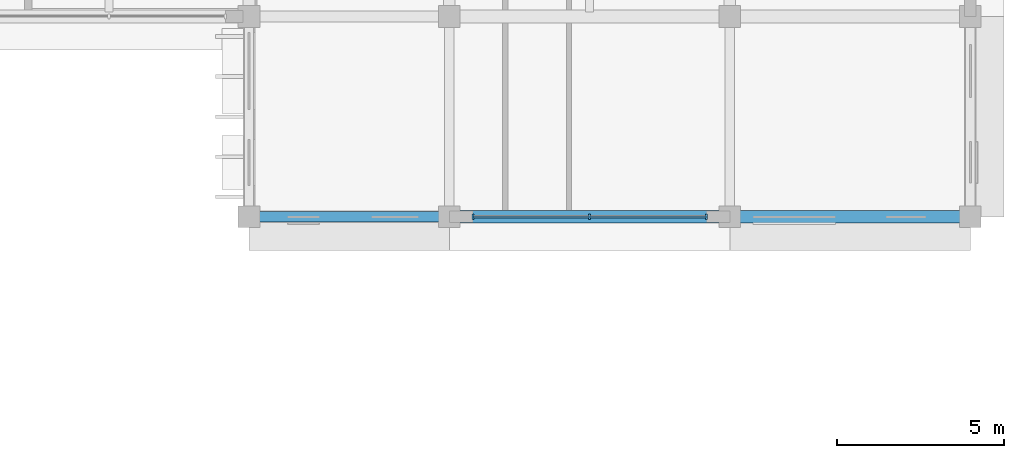
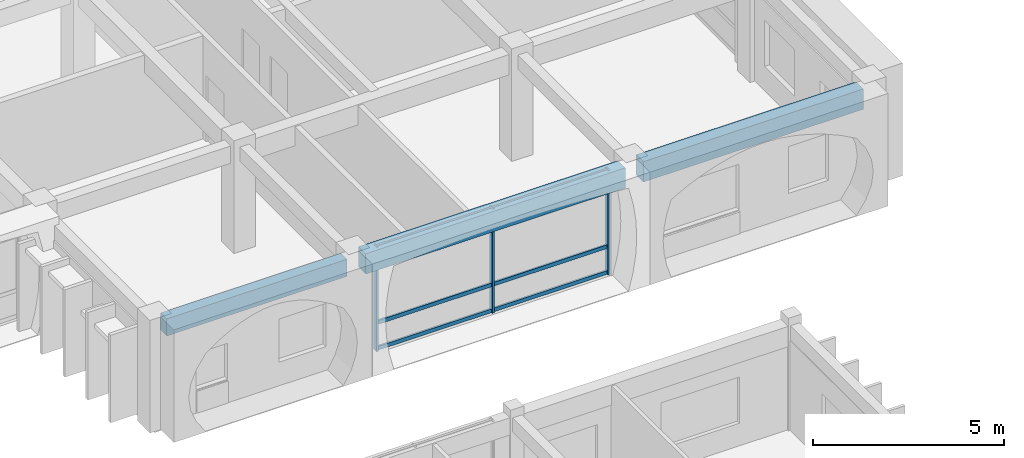
# One storey, part 32 of 88: 6 members, 3 beams, 1 element without a shape of its own.
"""IFC4 building model written with IfcOpenShell, lengths in metres."""

from ifc_helpers import new_model, si_unit, direction, frame, origin, origin_2d, place, context, subcontext, project, spatial, rectangle, extrude, material, material_profile, profile_set, type_object, element, aggregate, save


model = new_model("IFC4")

# Units and contexts
model_context = context("Model", 3, precision=1e-05, world=origin(), true_north=direction((0.0, 1.0)))
body_context = subcontext(model_context, "Body", "Model", "MODEL_VIEW")
ifc_project = project(units=[si_unit("LENGTHUNIT", "METRE"), si_unit("AREAUNIT", "SQUARE_METRE"), si_unit("VOLUMEUNIT", "CUBIC_METRE"), si_unit("PLANEANGLEUNIT", "RADIAN"), si_unit("MASSUNIT", "GRAM", prefix="KILO"), si_unit("THERMODYNAMICTEMPERATUREUNIT", "KELVIN")], contexts=[model_context])

# Site, building, storey
site_placement = place(None, origin())
site = spatial("IfcSite", under=ifc_project, at=site_placement, CompositionType="ELEMENT")
building_placement = place(site_placement, origin())
building = spatial("IfcBuilding", under=site, at=building_placement, Name="Thalorik Housing Commons", CompositionType="ELEMENT")
storey_placement = place(building_placement, frame((0.0, 0.0, 4.5)))
storey = spatial("IfcBuildingStorey", under=building, at=storey_placement, Name="L01", CompositionType="ELEMENT", Elevation=4.5)

# Curtain wall, members
ifc_material_1 = material(Name="Anodised aluminium and solar-control low-E glass", Category="aluminium")
curtain_wall_type = type_object("IfcCurtainWallType", Name="ARC-CW-LOUNGE", PredefinedType="USERDEFINED", material=ifc_material_1)
curtain_wall_placement = place(storey_placement, origin())
curtain_wall = element("IfcCurtainWall", 1, at=curtain_wall_placement, inside=storey, type_object=curtain_wall_type, Name="L01 Curtain Wall CW-RES-L01-D-176", ObjectType="CURTAIN WALL", PredefinedType="USERDEFINED")
ifc_material_2 = material(Name="Anodised aluminium 6063-T6", Category="aluminium")
ifc_material_profile_1 = material_profile(ifc_material_2, rectangle(XDim=0.06005859375, YDim=0.159912109375, at=origin_2d()), Name="ALU MUL 60x160", Category="aluminium")
ifc_profile_set_1 = profile_set([ifc_material_profile_1], Name="Anodised aluminium 6063-T6")
member_type_1 = type_object("IfcMemberType", Name="ARC-CW-MUL-60x160", PredefinedType="MULLION", material=ifc_profile_set_1)
member_1_placement = place(storey_placement, frame((159.10009765625, 37.199951171875, 0.0), z_axis=(0.0, 0.0, 1.0), x_axis=(1.0, 0.0, 0.0)))
member_1 = element("IfcMember", 2, at=member_1_placement, type_object=member_type_1, Name="CW-RES-L01-D-176 Mullion 1", PredefinedType="MULLION", context=body_context, shape_type="SweptSolid", body=[
    extrude(rectangle(XDim=0.06005859375, YDim=0.159912109375, at=origin_2d()), origin(), (0.0, 0.0, 1.0), 3.340087890625),
])
member_2_placement = place(storey_placement, frame((162.60009765625, 37.199951171875, 0.0), z_axis=(0.0, 0.0, 1.0), x_axis=(1.0, 0.0, 0.0)))
member_2 = element("IfcMember", 3, at=member_2_placement, type_object=member_type_1, Name="CW-RES-L01-D-176 Mullion 2", PredefinedType="MULLION", context=body_context, shape_type="SweptSolid", body=[
    extrude(rectangle(XDim=0.06005859375, YDim=0.159912109375, at=origin_2d()), origin(), (0.0, 0.0, 1.0), 3.340087890625),
])
member_3_placement = place(storey_placement, frame((166.10009765625, 37.199951171875, 0.0), z_axis=(0.0, 0.0, 1.0), x_axis=(1.0, 0.0, 0.0)))
member_3 = element("IfcMember", 4, at=member_3_placement, type_object=member_type_1, Name="CW-RES-L01-D-176 Mullion 3", PredefinedType="MULLION", context=body_context, shape_type="SweptSolid", body=[
    extrude(rectangle(XDim=0.06005859375, YDim=0.159912109375, at=origin_2d()), origin(), (0.0, 0.0, 1.0), 3.340087890625),
])
ifc_material_profile_2 = material_profile(ifc_material_2, rectangle(XDim=0.06005859375, YDim=0.1201171875, at=origin_2d()), Name="ALU TRN 60x120", Category="aluminium")
ifc_profile_set_2 = profile_set([ifc_material_profile_2], Name="Anodised aluminium 6063-T6")
member_type_2 = type_object("IfcMemberType", Name="ARC-CW-TRN-60x120", PredefinedType="USERDEFINED", material=ifc_profile_set_2)
member_4_placement = place(storey_placement, frame((159.10009765625, 37.199951171875, 0.054931640625), z_axis=(1.0, 0.0, 0.0), x_axis=(0.0, 1.0, 0.0)))
member_4 = element("IfcMember", 5, at=member_4_placement, type_object=member_type_2, Name="CW-RES-L01-D-176 Transom 1", ObjectType="TRANSOM", PredefinedType="USERDEFINED", context=body_context, shape_type="SweptSolid", body=[
    extrude(rectangle(XDim=0.06005859375, YDim=0.1201171875, at=origin_2d()), origin(), (0.0, 0.0, 1.0), 7.0),
])
member_5_placement = place(storey_placement, frame((159.10009765625, 37.199951171875, 0.8798828125), z_axis=(1.0, 0.0, 0.0), x_axis=(0.0, 1.0, 0.0)))
member_5 = element("IfcMember", 6, at=member_5_placement, type_object=member_type_2, Name="CW-RES-L01-D-176 Transom 2", ObjectType="TRANSOM", PredefinedType="USERDEFINED", context=body_context, shape_type="SweptSolid", body=[
    extrude(rectangle(XDim=0.06005859375, YDim=0.1201171875, at=origin_2d()), origin(), (0.0, 0.0, 1.0), 7.0),
])
member_6_placement = place(storey_placement, frame((159.10009765625, 37.199951171875, 3.284912109375), z_axis=(1.0, 0.0, 0.0), x_axis=(0.0, 1.0, 0.0)))
member_6 = element("IfcMember", 7, at=member_6_placement, type_object=member_type_2, Name="CW-RES-L01-D-176 Transom 3", ObjectType="TRANSOM", PredefinedType="USERDEFINED", context=body_context, shape_type="SweptSolid", body=[
    extrude(rectangle(XDim=0.06005859375, YDim=0.1201171875, at=origin_2d()), origin(), (0.0, 0.0, 1.0), 7.0),
])
aggregate(curtain_wall, [member_1, member_2, member_3, member_4, member_5, member_6])

# Beams
ifc_material_3 = material(Name="Precast concrete C40/50", Category="concrete")
ifc_material_profile_3 = material_profile(ifc_material_3, rectangle(XDim=0.320068359375, YDim=0.550048828125, at=origin_2d()), Name="PC 320x550", Category="concrete")
ifc_profile_set_3 = profile_set([ifc_material_profile_3], Name="Precast concrete C40/50")
beam_type_1 = type_object("IfcBeamType", Name="STR-BM-PC320x550", PredefinedType="BEAM", material=ifc_profile_set_3)
beam_1_placement = place(storey_placement, frame((152.675048828125, 37.199951171875, 3.06494140625), z_axis=(1.0, 0.0, 0.0), x_axis=(0.0, 1.0, 0.0)))
element("IfcBeam", 8, at=beam_1_placement, inside=storey, type_object=beam_type_1, Name="L01 Beam B-550", PredefinedType="BEAM", context=body_context, shape_type="SweptSolid", body=[
    extrude(rectangle(XDim=0.320068359375, YDim=0.550048828125, at=origin_2d()), origin(), (0.0, 0.0, 1.0), 5.449951171875),
])
ifc_material_profile_4 = material_profile(ifc_material_3, rectangle(XDim=0.3798828125, YDim=0.64990234375, at=origin_2d()), Name="PC 380x650", Category="concrete")
ifc_profile_set_4 = profile_set([ifc_material_profile_4], Name="Precast concrete C40/50")
beam_type_2 = type_object("IfcBeamType", Name="STR-BM-PC380x650", PredefinedType="BEAM", material=ifc_profile_set_4)
beam_2_placement = place(storey_placement, frame((158.675048828125, 37.199951171875, 3.014892578125), z_axis=(1.0, 0.0, 0.0), x_axis=(0.0, 1.0, 0.0)))
element("IfcBeam", 9, at=beam_2_placement, inside=storey, type_object=beam_type_2, Name="L01 Beam B-650", PredefinedType="BEAM", context=body_context, shape_type="SweptSolid", body=[
    extrude(rectangle(XDim=0.3798828125, YDim=0.64990234375, at=origin_2d()), origin(), (0.0, 0.0, 1.0), 7.849853515625),
])
beam_3_placement = place(storey_placement, frame((167.074951171875, 37.199951171875, 3.014892578125), z_axis=(1.0, 0.0, 0.0), x_axis=(0.0, 1.0, 0.0)))
element("IfcBeam", 10, at=beam_3_placement, inside=storey, type_object=beam_type_2, Name="L01 Beam B-650", PredefinedType="BEAM", context=body_context, shape_type="SweptSolid", body=[
    extrude(rectangle(XDim=0.3798828125, YDim=0.64990234375, at=origin_2d()), origin(), (0.0, 0.0, 1.0), 6.650146484375),
])

save(model, "model.ifc")
